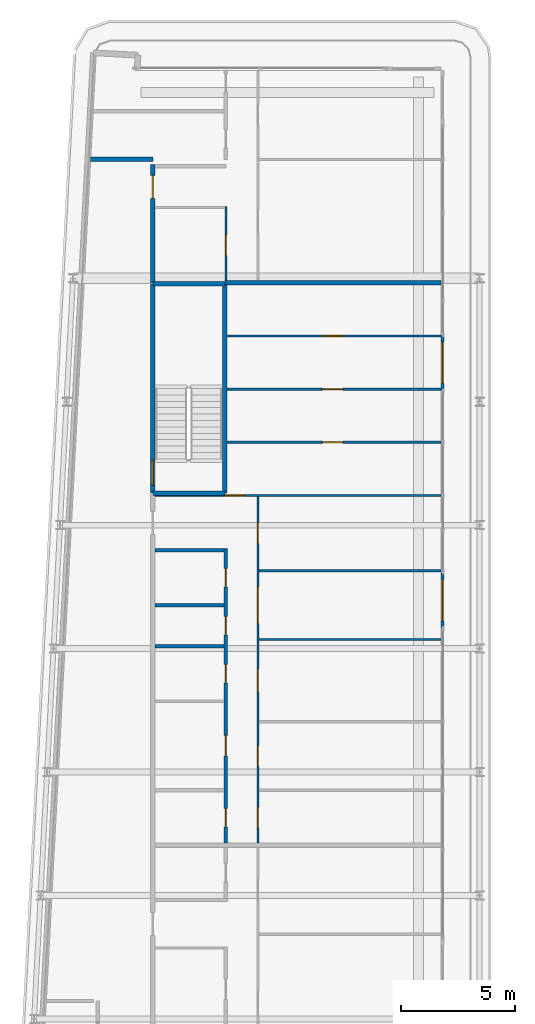
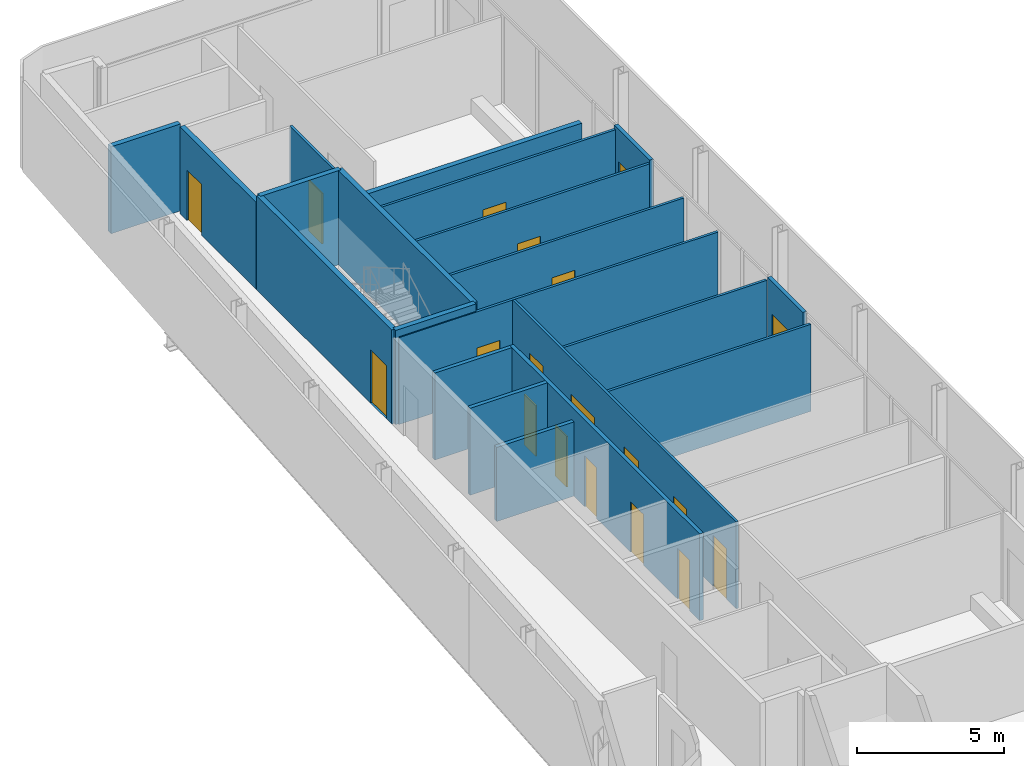
# One storey, part 14 of 21: 21 walls, 19 doors, 19 openings.
"""IFC4 building model written with IfcOpenShell, lengths in metres."""

from ifc_helpers import new_model, si_unit, direction, frame, frame_2d, origin, place, context, subcontext, project, spatial, rectangle, extrude, source, transform, mapped, material, layer, layer_set, type_object, element, fill, save


model = new_model("IFC4")

# Units and contexts
model_context = context("Model", 3, precision=1e-05, world=origin(), true_north=direction((0.0, 1.0)))
body_context = subcontext(model_context, "Body", "Model", "MODEL_VIEW")
ifc_project = project(units=[si_unit("LENGTHUNIT", "METRE"), si_unit("AREAUNIT", "SQUARE_METRE"), si_unit("VOLUMEUNIT", "CUBIC_METRE"), si_unit("PLANEANGLEUNIT", "RADIAN"), si_unit("MASSUNIT", "GRAM", prefix="KILO")], contexts=[model_context])

# Site, building, storey
site_placement = place(None, origin())
site = spatial("IfcSite", under=ifc_project, at=site_placement, CompositionType="ELEMENT")
building_placement = place(site_placement, origin())
building = spatial("IfcBuilding", under=site, at=building_placement, Name="Kheshtan School and Residences Tower", CompositionType="ELEMENT")
storey_placement = place(building_placement, frame((0.0, 0.0, 294.199951171875)))
storey = spatial("IfcBuildingStorey", under=building, at=storey_placement, Name="L69", CompositionType="ELEMENT", Elevation=294.199951171875)

# Wall
ifc_material_1 = material(Name="Gypsum board on steel studs with fire boards", Category="steel")
ifc_layer_1 = layer(ifc_material_1, 0.199951171875)
ifc_layer_set_1 = layer_set([ifc_layer_1], Name="Corridor wall 200")
wall_type_1 = type_object("IfcWallType", Name="Corridor wall 200", PredefinedType="PARTITIONING", material=ifc_layer_set_1)
wall_1_placement = place(storey_placement, frame((30.584716796875, 94.0, 0.0), z_axis=(0.0, 0.0, 1.0), x_axis=(1.0, 0.0, 0.0)))
element("IfcWall", 1, at=wall_1_placement, inside=storey, type_object=wall_type_1, Name="Partition L69-002", PredefinedType="PARTITIONING", context=body_context, shape_type="SweptSolid", body=[
    extrude(rectangle(XDim=2.71533203125, YDim=0.199951171875, at=frame_2d((1.357666015625, 0.0))), origin(), (0.0, 0.0, 1.0), 3.60009765625),
])

# Wall, opening, door
wall_2_placement = place(storey_placement, frame((33.300048828125, 88.60009765625, 0.0), z_axis=(0.0, 0.0, 1.0), x_axis=(0.0, 1.0, 0.0)))
wall_2 = element("IfcWall", 2, at=wall_2_placement, inside=storey, type_object=wall_type_1, Name="Partition L69-004", PredefinedType="PARTITIONING", context=body_context, shape_type="SweptSolid", body=[
    extrude(rectangle(XDim=5.1748046875, YDim=0.199951171875, at=frame_2d((2.58740234375, 0.0))), origin(), (0.0, 0.0, 1.0), 3.60009765625),
])
opening_1_placement = place(wall_2_placement, frame((3.699951171875, 0.0, 0.0)))
opening_1 = element("IfcOpeningElement", 3, at=opening_1_placement, cuts=wall_2, Name="Opening D68-033", PredefinedType="OPENING", context=body_context, shape_type="SweptSolid", body=[
    extrude(rectangle(XDim=1.0, YDim=2.10009765625, at=frame_2d((0.5, 1.050048828125))), frame((0.0, 0.10986328125, 0.0), z_axis=(0.0, -1.0, 0.0), x_axis=(1.0, 0.0, 0.0)), (0.0, 0.0, 1.0), 0.219970703125),
])
ifc_material_2 = material(Name="Steel-framed fire-resisting door leaf", Category="steel")
door_type_1 = type_object("IfcDoorType", Name="Fire door FD30S 1000 x 2100", OperationType="SINGLE_SWING_LEFT", PredefinedType="DOOR", material=ifc_material_2)
shared_shape_1 = source(origin(), body_context, "Body", "SweptSolid", [
    extrude(rectangle(XDim=1.0, YDim=2.10009765625, at=frame_2d((0.5, 1.050048828125))), frame((0.0, 0.02490234375, 0.0), z_axis=(0.0, -1.0, 0.0), x_axis=(1.0, 0.0, 0.0)), (0.0, 0.0, 1.0), 0.050048828125),
])
door_1_placement = place(opening_1_placement, origin())
door_1 = element("IfcDoor", 4, at=door_1_placement, inside=storey, type_object=door_type_1, Name="Door D68-033", OperationType="SINGLE_SWING_RIGHT", OverallHeight=2.10009765625, OverallWidth=1.0, PredefinedType="DOOR", context=body_context, shape_type="MappedRepresentation", body=[
    mapped(shared_shape_1, transform((0.0, 0.0, 0.0), x_axis=(1.0, 0.0, 0.0), y_axis=(0.0, 1.0, 0.0), z_axis=(0.0, 0.0, 1.0), scale=1.0)),
])
fill(opening_1, door_1)

ifc_material_3 = material(Name="Aluminium frame wall with insulated infill", Category="aluminium")
ifc_layer_2 = layer(ifc_material_3, 0.14990234375)
ifc_layer_set_2 = layer_set([ifc_layer_2], Name="Glazing frame wall 150")
wall_type_2 = type_object("IfcWallType", Name="Glazing frame wall 150", PredefinedType="SOLIDWALL", material=ifc_layer_set_2)
wall_3_placement = place(storey_placement, frame((45.97509765625, 86.305908203125, 0.0), z_axis=(0.0, 0.0, 1.0), x_axis=(0.0, -1.0, 0.0)))
wall_3 = element("IfcWall", 5, at=wall_3_placement, inside=storey, type_object=wall_type_2, Name="Balcony door wall L69 8.2", PredefinedType="SOLIDWALL", context=body_context, shape_type="SweptSolid", body=[
    extrude(rectangle(XDim=2.39990234375, YDim=0.14990234375, at=frame_2d((1.199951171875, 0.0))), origin(), (0.0, 0.0, 1.0), 3.75),
])
opening_2_placement = place(wall_3_placement, frame((0.300048828125, 0.0, 0.0)))
opening_2 = element("IfcOpeningElement", 6, at=opening_2_placement, cuts=wall_3, Name="Opening BD", PredefinedType="OPENING", context=body_context, shape_type="SweptSolid", body=[
    extrude(rectangle(XDim=1.800048828125, YDim=2.39990234375, at=frame_2d((0.89990234375, 1.199951171875))), frame((0.0, 0.0849609375, 0.0), z_axis=(0.0, -1.0, 0.0), x_axis=(1.0, 0.0, 0.0)), (0.0, 0.0, 1.0), 0.169921875),
])
ifc_material_4 = material(Name="Clear low-e glass in thermally broken aluminium frame", Category="aluminium")
door_type_2 = type_object("IfcDoorType", Name="Balcony sliding door", OperationType="SLIDING_TO_LEFT", PredefinedType="DOOR", material=ifc_material_4)
shared_shape_2 = source(origin(), body_context, "Body", "SweptSolid", [
    extrude(rectangle(XDim=1.800048828125, YDim=2.39990234375, at=frame_2d((0.89990234375, 1.199951171875))), frame((0.0, 0.02490234375, 0.0), z_axis=(0.0, -1.0, 0.0), x_axis=(1.0, 0.0, 0.0)), (0.0, 0.0, 1.0), 0.050048828125),
])
door_2_placement = place(opening_2_placement, origin())
door_2 = element("IfcDoor", 7, at=door_2_placement, inside=storey, type_object=door_type_2, Name="Balcony door L69 8.2", OperationType="SLIDING_TO_LEFT", OverallHeight=2.39990234375, OverallWidth=1.800048828125, PredefinedType="DOOR", context=body_context, shape_type="MappedRepresentation", body=[
    mapped(shared_shape_2, transform((0.0, 0.0, 0.0), x_axis=(1.0, 0.0, 0.0), y_axis=(0.0, 1.0, 0.0), z_axis=(0.0, 0.0, 1.0), scale=1.0)),
])
fill(opening_2, door_2)

wall_4_placement = place(storey_placement, frame((45.97509765625, 75.912109375, 0.0), z_axis=(0.0, 0.0, 1.0), x_axis=(0.0, -1.0, 0.0)))
wall_4 = element("IfcWall", 8, at=wall_4_placement, inside=storey, type_object=wall_type_2, Name="Balcony door wall L69 8.3", PredefinedType="SOLIDWALL", context=body_context, shape_type="SweptSolid", body=[
    extrude(rectangle(XDim=2.400146484375, YDim=0.14990234375, at=frame_2d((1.2001953125, 0.0))), origin(), (0.0, 0.0, 1.0), 3.75),
])
opening_3_placement = place(wall_4_placement, frame((0.300048828125, 0.0, 0.0)))
opening_3 = element("IfcOpeningElement", 9, at=opening_3_placement, cuts=wall_4, Name="Opening BD", PredefinedType="OPENING", context=body_context, shape_type="SweptSolid", body=[
    extrude(rectangle(XDim=1.800048828125, YDim=2.39990234375, at=frame_2d((0.89990234375, 1.199951171875))), frame((0.0, 0.0849609375, 0.0), z_axis=(0.0, -1.0, 0.0), x_axis=(1.0, 0.0, 0.0)), (0.0, 0.0, 1.0), 0.169921875),
])
door_3_placement = place(opening_3_placement, origin())
door_3 = element("IfcDoor", 10, at=door_3_placement, inside=storey, type_object=door_type_2, Name="Balcony door L69 8.3", OperationType="SLIDING_TO_LEFT", OverallHeight=2.39990234375, OverallWidth=1.800048828125, PredefinedType="DOOR", context=body_context, shape_type="MappedRepresentation", body=[
    mapped(shared_shape_2, transform((0.0, 0.0, 0.0), x_axis=(1.0, 0.0, 0.0), y_axis=(0.0, 1.0, 0.0), z_axis=(0.0, 0.0, 1.0), scale=1.0)),
])
fill(opening_3, door_3)

ifc_material_5 = material(Name="Gypsum board on steel studs", Category="steel")
ifc_layer_3 = layer(ifc_material_5, 0.10009765625)
ifc_layer_set_3 = layer_set([ifc_layer_3], Name="Gypsum partition 100")
wall_type_3 = type_object("IfcWallType", Name="Gypsum partition 100", PredefinedType="PARTITIONING", material=ifc_layer_set_3)
wall_5_placement = place(storey_placement, frame((33.39990234375, 79.300048828125, 0.0), z_axis=(0.0, 0.0, 1.0), x_axis=(1.0, 0.0, 0.0)))
wall_5 = element("IfcWall", 11, at=wall_5_placement, inside=storey, type_object=wall_type_3, Name="Partition L69-015", PredefinedType="PARTITIONING", context=body_context, shape_type="SweptSolid", body=[
    extrude(rectangle(XDim=12.5, YDim=0.10009765625, at=frame_2d((6.25, 0.0))), origin(), (0.0, 0.0, 1.0), 3.60009765625),
])
opening_4_placement = place(wall_5_placement, frame((3.052978515625, 0.0, 0.0)))
opening_4 = element("IfcOpeningElement", 12, at=opening_4_placement, cuts=wall_5, Name="Opening D68-027", PredefinedType="OPENING", context=body_context, shape_type="SweptSolid", body=[
    extrude(rectangle(XDim=0.89990234375, YDim=2.10009765625, at=frame_2d((0.449951171875, 1.050048828125))), frame((0.0, 0.06005859375, 0.0), z_axis=(0.0, -1.0, 0.0), x_axis=(1.0, 0.0, 0.0)), (0.0, 0.0, 1.0), 0.1201171875),
])
ifc_material_6 = material(Name="Veneered timber door leaf", Category="wood")
door_type_3 = type_object("IfcDoorType", Name="Door 900 x 2100", OperationType="SINGLE_SWING_LEFT", PredefinedType="DOOR", material=ifc_material_6)
shared_shape_3 = source(origin(), body_context, "Body", "SweptSolid", [
    extrude(rectangle(XDim=0.89990234375, YDim=2.10009765625, at=frame_2d((0.449951171875, 1.050048828125))), frame((0.0, 0.02490234375, 0.0), z_axis=(0.0, -1.0, 0.0), x_axis=(1.0, 0.0, 0.0)), (0.0, 0.0, 1.0), 0.050048828125),
])
door_4_placement = place(opening_4_placement, origin())
door_4 = element("IfcDoor", 13, at=door_4_placement, inside=storey, type_object=door_type_3, Name="Door D68-027", OperationType="SINGLE_SWING_LEFT", OverallHeight=2.10009765625, OverallWidth=0.89990234375, PredefinedType="DOOR", context=body_context, shape_type="MappedRepresentation", body=[
    mapped(shared_shape_3, transform((0.0, 0.0, 0.0), x_axis=(1.0, 0.0, 0.0), y_axis=(0.0, 1.0, 0.0), z_axis=(0.0, 0.0, 1.0), scale=1.0)),
])
fill(opening_4, door_4)

wall_6_placement = place(storey_placement, frame((36.5, 88.699951171875, 0.0), z_axis=(0.0, 0.0, 1.0), x_axis=(0.0, 1.0, 0.0)))
wall_6 = element("IfcWall", 14, at=wall_6_placement, inside=storey, type_object=wall_type_3, Name="Partition L69-025", PredefinedType="PARTITIONING", context=body_context, shape_type="SweptSolid", body=[
    extrude(rectangle(XDim=3.25, YDim=0.10009765625, at=frame_2d((1.625, 0.0))), origin(), (0.0, 0.0, 1.0), 3.60009765625),
])
opening_5_placement = place(wall_6_placement, frame((1.10009765625, 0.0, 0.0)))
opening_5 = element("IfcOpeningElement", 15, at=opening_5_placement, cuts=wall_6, Name="Opening D68-034", PredefinedType="OPENING", context=body_context, shape_type="SweptSolid", body=[
    extrude(rectangle(XDim=0.89990234375, YDim=2.10009765625, at=frame_2d((0.449951171875, 1.050048828125))), frame((0.0, 0.06005859375, 0.0), z_axis=(0.0, -1.0, 0.0), x_axis=(1.0, 0.0, 0.0)), (0.0, 0.0, 1.0), 0.1201171875),
])
door_5_placement = place(opening_5_placement, origin())
door_5 = element("IfcDoor", 16, at=door_5_placement, inside=storey, type_object=door_type_3, Name="Door D68-034", OperationType="SINGLE_SWING_LEFT", OverallHeight=2.10009765625, OverallWidth=0.89990234375, PredefinedType="DOOR", context=body_context, shape_type="MappedRepresentation", body=[
    mapped(shared_shape_3, transform((0.0, 0.0, 0.0), x_axis=(1.0, 0.0, 0.0), y_axis=(0.0, 1.0, 0.0), z_axis=(0.0, 0.0, 1.0), scale=1.0)),
])
fill(opening_5, door_5)

wall_7_placement = place(storey_placement, frame((36.549072265625, 81.625, 0.0), z_axis=(0.0, 0.0, 1.0), x_axis=(1.0, 0.0, 0.0)))
wall_7 = element("IfcWall", 17, at=wall_7_placement, inside=storey, type_object=wall_type_3, Name="Partition L69-027", PredefinedType="PARTITIONING", context=body_context, shape_type="SweptSolid", body=[
    extrude(rectangle(XDim=9.350830078125, YDim=0.10009765625, at=frame_2d((4.67529296875, 0.0))), origin(), (0.0, 0.0, 1.0), 3.60009765625),
])
opening_6_placement = place(wall_7_placement, frame((4.176025390625, 0.0, 0.0)))
opening_6 = element("IfcOpeningElement", 18, at=opening_6_placement, cuts=wall_7, Name="Opening D68-028", PredefinedType="OPENING", context=body_context, shape_type="SweptSolid", body=[
    extrude(rectangle(XDim=0.89990234375, YDim=2.10009765625, at=frame_2d((0.449951171875, 1.050048828125))), frame((0.0, 0.06005859375, 0.0), z_axis=(0.0, -1.0, 0.0), x_axis=(1.0, 0.0, 0.0)), (0.0, 0.0, 1.0), 0.1201171875),
])
door_6_placement = place(opening_6_placement, origin())
door_6 = element("IfcDoor", 19, at=door_6_placement, inside=storey, type_object=door_type_3, Name="Door D68-028", OperationType="SINGLE_SWING_RIGHT", OverallHeight=2.10009765625, OverallWidth=0.89990234375, PredefinedType="DOOR", context=body_context, shape_type="MappedRepresentation", body=[
    mapped(shared_shape_3, transform((0.0, 0.0, 0.0), x_axis=(1.0, 0.0, 0.0), y_axis=(0.0, 1.0, 0.0), z_axis=(0.0, 0.0, 1.0), scale=1.0)),
])
fill(opening_6, door_6)

wall_8_placement = place(storey_placement, frame((36.549072265625, 83.949951171875, 0.0), z_axis=(0.0, 0.0, 1.0), x_axis=(1.0, 0.0, 0.0)))
wall_8 = element("IfcWall", 20, at=wall_8_placement, inside=storey, type_object=wall_type_3, Name="Partition L69-028", PredefinedType="PARTITIONING", context=body_context, shape_type="SweptSolid", body=[
    extrude(rectangle(XDim=9.350830078125, YDim=0.10009765625, at=frame_2d((4.67529296875, 0.0))), origin(), (0.0, 0.0, 1.0), 3.60009765625),
])
opening_7_placement = place(wall_8_placement, frame((4.176025390625, 0.0, 0.0)))
opening_7 = element("IfcOpeningElement", 21, at=opening_7_placement, cuts=wall_8, Name="Opening D68-029", PredefinedType="OPENING", context=body_context, shape_type="SweptSolid", body=[
    extrude(rectangle(XDim=0.89990234375, YDim=2.10009765625, at=frame_2d((0.449951171875, 1.050048828125))), frame((0.0, 0.06005859375, 0.0), z_axis=(0.0, -1.0, 0.0), x_axis=(1.0, 0.0, 0.0)), (0.0, 0.0, 1.0), 0.1201171875),
])
door_7_placement = place(opening_7_placement, origin())
door_7 = element("IfcDoor", 22, at=door_7_placement, inside=storey, type_object=door_type_3, Name="Door D68-029", OperationType="SINGLE_SWING_RIGHT", OverallHeight=2.10009765625, OverallWidth=0.89990234375, PredefinedType="DOOR", context=body_context, shape_type="MappedRepresentation", body=[
    mapped(shared_shape_3, transform((0.0, 0.0, 0.0), x_axis=(1.0, 0.0, 0.0), y_axis=(0.0, 1.0, 0.0), z_axis=(0.0, 0.0, 1.0), scale=1.0)),
])
fill(opening_7, door_7)

wall_9_placement = place(storey_placement, frame((36.549072265625, 86.27490234375, 0.0), z_axis=(0.0, 0.0, 1.0), x_axis=(1.0, 0.0, 0.0)))
wall_9 = element("IfcWall", 23, at=wall_9_placement, inside=storey, type_object=wall_type_3, Name="Partition L69-029", PredefinedType="PARTITIONING", context=body_context, shape_type="SweptSolid", body=[
    extrude(rectangle(XDim=9.350830078125, YDim=0.10009765625, at=frame_2d((4.67529296875, 0.0))), origin(), (0.0, 0.0, 1.0), 3.60009765625),
])
opening_8_placement = place(wall_9_placement, frame((4.176025390625, 0.0, 0.0)))
opening_8 = element("IfcOpeningElement", 24, at=opening_8_placement, cuts=wall_9, Name="Opening D68-030", PredefinedType="OPENING", context=body_context, shape_type="SweptSolid", body=[
    extrude(rectangle(XDim=0.89990234375, YDim=2.10009765625, at=frame_2d((0.449951171875, 1.050048828125))), frame((0.0, 0.06005859375, 0.0), z_axis=(0.0, -1.0, 0.0), x_axis=(1.0, 0.0, 0.0)), (0.0, 0.0, 1.0), 0.1201171875),
])
door_8_placement = place(opening_8_placement, origin())
door_8 = element("IfcDoor", 25, at=door_8_placement, inside=storey, type_object=door_type_3, Name="Door D68-030", OperationType="SINGLE_SWING_RIGHT", OverallHeight=2.10009765625, OverallWidth=0.89990234375, PredefinedType="DOOR", context=body_context, shape_type="MappedRepresentation", body=[
    mapped(shared_shape_3, transform((0.0, 0.0, 0.0), x_axis=(1.0, 0.0, 0.0), y_axis=(0.0, 1.0, 0.0), z_axis=(0.0, 0.0, 1.0), scale=1.0)),
])
fill(opening_8, door_8)

# Wall, openings, doors
wall_10_placement = place(storey_placement, frame((37.89990234375, 64.10009765625, 0.0), z_axis=(0.0, 0.0, 1.0), x_axis=(0.0, 1.0, 0.0)))
wall_10 = element("IfcWall", 26, at=wall_10_placement, inside=storey, type_object=wall_type_3, Name="Partition L69-031", PredefinedType="PARTITIONING", context=body_context, shape_type="SweptSolid", body=[
    extrude(rectangle(XDim=15.14990234375, YDim=0.10009765625, at=frame_2d((7.574951171875, 0.0))), origin(), (0.0, 0.0, 1.0), 3.60009765625),
])
opening_9_placement = place(wall_10_placement, frame((0.64990234375, 0.0, 0.0)))
opening_9 = element("IfcOpeningElement", 27, at=opening_9_placement, cuts=wall_10, Name="Opening D68-018", PredefinedType="OPENING", context=body_context, shape_type="SweptSolid", body=[
    extrude(rectangle(XDim=0.89990234375, YDim=2.10009765625, at=frame_2d((0.449951171875, 1.050048828125))), frame((0.0, 0.06005859375, 0.0), z_axis=(0.0, -1.0, 0.0), x_axis=(1.0, 0.0, 0.0)), (0.0, 0.0, 1.0), 0.1201171875),
])
opening_10_placement = place(wall_10_placement, frame((3.35009765625, 0.0, 0.0)))
opening_10 = element("IfcOpeningElement", 28, at=opening_10_placement, cuts=wall_10, Name="Opening D68-019", PredefinedType="OPENING", context=body_context, shape_type="SweptSolid", body=[
    extrude(rectangle(XDim=0.89990234375, YDim=2.10009765625, at=frame_2d((0.449951171875, 1.050048828125))), frame((0.0, 0.06005859375, 0.0), z_axis=(0.0, -1.0, 0.0), x_axis=(1.0, 0.0, 0.0)), (0.0, 0.0, 1.0), 0.1201171875),
])
opening_11_placement = place(wall_10_placement, frame((6.60009765625, 0.0, 0.0)))
opening_11 = element("IfcOpeningElement", 29, at=opening_11_placement, cuts=wall_10, Name="Opening D68-023", PredefinedType="OPENING", context=body_context, shape_type="SweptSolid", body=[
    extrude(rectangle(XDim=1.0, YDim=2.10009765625, at=frame_2d((0.5, 1.050048828125))), frame((0.0, 0.06005859375, 0.0), z_axis=(0.0, -1.0, 0.0), x_axis=(1.0, 0.0, 0.0)), (0.0, 0.0, 1.0), 0.1201171875),
])
opening_12_placement = place(wall_10_placement, frame((9.60009765625, 0.0, 0.0)))
opening_12 = element("IfcOpeningElement", 30, at=opening_12_placement, cuts=wall_10, Name="Opening D68-024", PredefinedType="OPENING", context=body_context, shape_type="SweptSolid", body=[
    extrude(rectangle(XDim=1.60009765625, YDim=2.10009765625, at=frame_2d((0.800048828125, 1.050048828125))), frame((0.0, 0.06005859375, 0.0), z_axis=(0.0, -1.0, 0.0), x_axis=(1.0, 0.0, 0.0)), (0.0, 0.0, 1.0), 0.1201171875),
])
opening_13_placement = place(wall_10_placement, frame((13.10009765625, 0.0, 0.0)))
opening_13 = element("IfcOpeningElement", 31, at=opening_13_placement, cuts=wall_10, Name="Opening D68-025", PredefinedType="OPENING", context=body_context, shape_type="SweptSolid", body=[
    extrude(rectangle(XDim=0.89990234375, YDim=2.10009765625, at=frame_2d((0.449951171875, 1.050048828125))), frame((0.0, 0.06005859375, 0.0), z_axis=(0.0, -1.0, 0.0), x_axis=(1.0, 0.0, 0.0)), (0.0, 0.0, 1.0), 0.1201171875),
])
door_type_4 = type_object("IfcDoorType", Name="Door 1000 x 2100", OperationType="SINGLE_SWING_LEFT", PredefinedType="DOOR", material=ifc_material_6)
shared_shape_4 = source(origin(), body_context, "Body", "SweptSolid", [
    extrude(rectangle(XDim=1.0, YDim=2.10009765625, at=frame_2d((0.5, 1.050048828125))), frame((0.0, 0.02490234375, 0.0), z_axis=(0.0, -1.0, 0.0), x_axis=(1.0, 0.0, 0.0)), (0.0, 0.0, 1.0), 0.050048828125),
])
door_9_placement = place(opening_11_placement, origin())
door_9 = element("IfcDoor", 32, at=door_9_placement, inside=storey, type_object=door_type_4, Name="Door D68-023", OperationType="SINGLE_SWING_LEFT", OverallHeight=2.10009765625, OverallWidth=1.0, PredefinedType="DOOR", context=body_context, shape_type="MappedRepresentation", body=[
    mapped(shared_shape_4, transform((0.0, 0.0, 0.0), x_axis=(1.0, 0.0, 0.0), y_axis=(0.0, 1.0, 0.0), z_axis=(0.0, 0.0, 1.0), scale=1.0)),
])
fill(opening_11, door_9)
door_10_placement = place(opening_9_placement, origin())
door_10 = element("IfcDoor", 33, at=door_10_placement, inside=storey, type_object=door_type_3, Name="Door D68-018", OperationType="SINGLE_SWING_RIGHT", OverallHeight=2.10009765625, OverallWidth=0.89990234375, PredefinedType="DOOR", context=body_context, shape_type="MappedRepresentation", body=[
    mapped(shared_shape_3, transform((0.0, 0.0, 0.0), x_axis=(1.0, 0.0, 0.0), y_axis=(0.0, 1.0, 0.0), z_axis=(0.0, 0.0, 1.0), scale=1.0)),
])
fill(opening_9, door_10)
door_11_placement = place(opening_10_placement, origin())
door_11 = element("IfcDoor", 34, at=door_11_placement, inside=storey, type_object=door_type_3, Name="Door D68-019", OperationType="SINGLE_SWING_LEFT", OverallHeight=2.10009765625, OverallWidth=0.89990234375, PredefinedType="DOOR", context=body_context, shape_type="MappedRepresentation", body=[
    mapped(shared_shape_3, transform((0.0, 0.0, 0.0), x_axis=(1.0, 0.0, 0.0), y_axis=(0.0, 1.0, 0.0), z_axis=(0.0, 0.0, 1.0), scale=1.0)),
])
fill(opening_10, door_11)
door_12_placement = place(opening_13_placement, origin())
door_12 = element("IfcDoor", 35, at=door_12_placement, inside=storey, type_object=door_type_3, Name="Door D68-025", OperationType="SINGLE_SWING_RIGHT", OverallHeight=2.10009765625, OverallWidth=0.89990234375, PredefinedType="DOOR", context=body_context, shape_type="MappedRepresentation", body=[
    mapped(shared_shape_3, transform((0.0, 0.0, 0.0), x_axis=(1.0, 0.0, 0.0), y_axis=(0.0, 1.0, 0.0), z_axis=(0.0, 0.0, 1.0), scale=1.0)),
])
fill(opening_13, door_12)
door_type_5 = type_object("IfcDoorType", Name="Double door 1600 x 2100", OperationType="DOUBLE_DOOR_SINGLE_SWING", PredefinedType="DOOR", material=ifc_material_6)
shared_shape_5 = source(origin(), body_context, "Body", "SweptSolid", [
    extrude(rectangle(XDim=1.60009765625, YDim=2.10009765625, at=frame_2d((0.800048828125, 1.050048828125))), frame((0.0, 0.02490234375, 0.0), z_axis=(0.0, -1.0, 0.0), x_axis=(1.0, 0.0, 0.0)), (0.0, 0.0, 1.0), 0.050048828125),
])
door_13_placement = place(opening_12_placement, origin())
door_13 = element("IfcDoor", 36, at=door_13_placement, inside=storey, type_object=door_type_5, Name="Door D68-024", OperationType="DOUBLE_DOOR_SINGLE_SWING", OverallHeight=2.10009765625, OverallWidth=1.60009765625, PredefinedType="DOOR", context=body_context, shape_type="MappedRepresentation", body=[
    mapped(shared_shape_5, transform((0.0, 0.0, 0.0), x_axis=(1.0, 0.0, 0.0), y_axis=(0.0, 1.0, 0.0), z_axis=(0.0, 0.0, 1.0), scale=1.0)),
])
fill(opening_12, door_13)

# Walls
for number, where, z_axis, x_axis, name in (
    (37, (37.949951171875, 73.0, 0.0), (0.0, 0.0, 1.0), (1.0, 0.0, 0.0), "Partition L69-036"),
    (38, (37.949951171875, 76.0, 0.0), (0.0, 0.0, 1.0), (1.0, 0.0, 0.0), "Partition L69-037"),
):
    element("IfcWall", number, at=place(storey_placement, frame(where, z_axis=z_axis, x_axis=x_axis)), inside=storey, type_object=wall_type_3, Name=name, PredefinedType="PARTITIONING", context=body_context, shape_type="SweptSolid", body=[
        extrude(rectangle(XDim=7.949951171875, YDim=0.10009765625, at=frame_2d((3.97509765625, 0.0))), origin(), (0.0, 0.0, 1.0), 3.60009765625),
    ])
ifc_material_7 = material(Name="Concrete C40/50", Category="concrete")
ifc_layer_4 = layer(ifc_material_7, 0.199951171875)
ifc_layer_set_4 = layer_set([ifc_layer_4], Name="Stair enclosure wall 200 Concrete C40/50")
wall_type_4 = type_object("IfcWallType", Name="Stair enclosure wall 200 Concrete C40/50", PredefinedType="SHEAR", material=ifc_layer_set_4)
for number, where, z_axis, x_axis, name in (
    (39, (33.300048828125, 79.39990234375, 0.0), (0.0, 0.0, 1.0), (1.0, 0.0, 0.0), "Stair enclosure wall ST3"),
    (40, (33.300048828125, 88.56005859375, 0.0), (0.0, 0.0, 1.0), (1.0, 0.0, 0.0), "Stair enclosure wall ST3"),
):
    element("IfcWall", number, at=place(storey_placement, frame(where, z_axis=z_axis, x_axis=x_axis)), inside=storey, type_object=wall_type_4, Name=name, PredefinedType="SHEAR", context=body_context, shape_type="SweptSolid", body=[
        extrude(rectangle(XDim=3.14990234375, YDim=0.199951171875, at=frame_2d((1.574951171875, 0.0))), origin(), (0.0, 0.0, 1.0), 3.900146484375),
    ])

# Wall, opening, door
wall_11_placement = place(storey_placement, frame((33.300048828125, 79.39990234375, 0.0), z_axis=(0.0, 0.0, 1.0), x_axis=(0.0, 1.0, 0.0)))
wall_11 = element("IfcWall", 41, at=wall_11_placement, inside=storey, type_object=wall_type_4, Name="Stair enclosure wall ST3", PredefinedType="SHEAR", context=body_context, shape_type="SweptSolid", body=[
    extrude(rectangle(XDim=9.16015625, YDim=0.199951171875, at=frame_2d((4.580078125, 0.0))), origin(), (0.0, 0.0, 1.0), 3.900146484375),
])
opening_14_placement = place(wall_11_placement, frame((0.35009765625, 0.0, 0.0)))
opening_14 = element("IfcOpeningElement", 42, at=opening_14_placement, cuts=wall_11, Name="Opening ST3D", PredefinedType="OPENING", context=body_context, shape_type="SweptSolid", body=[
    extrude(rectangle(XDim=1.10009765625, YDim=2.199951171875, at=frame_2d((0.550048828125, 1.10009765625))), frame((0.0, 0.10986328125, 0.0), z_axis=(0.0, -1.0, 0.0), x_axis=(1.0, 0.0, 0.0)), (0.0, 0.0, 1.0), 0.219970703125),
])
ifc_material_8 = material(Name="Steel door leaf, galvanised", Category="steel")
door_type_6 = type_object("IfcDoorType", Name="Stair door 1100 steel 90 min", OperationType="SINGLE_SWING_LEFT", PredefinedType="DOOR", material=ifc_material_8)
shared_shape_6 = source(origin(), body_context, "Body", "SweptSolid", [
    extrude(rectangle(XDim=1.10009765625, YDim=2.199951171875, at=frame_2d((0.550048828125, 1.10009765625))), frame((0.0, 0.02490234375, 0.0), z_axis=(0.0, -1.0, 0.0), x_axis=(1.0, 0.0, 0.0)), (0.0, 0.0, 1.0), 0.050048828125),
])
door_14_placement = place(opening_14_placement, origin())
door_14 = element("IfcDoor", 43, at=door_14_placement, inside=storey, type_object=door_type_6, Name="Stair ST3 door", OperationType="SINGLE_SWING_RIGHT", OverallHeight=2.199951171875, OverallWidth=1.10009765625, PredefinedType="DOOR", context=body_context, shape_type="MappedRepresentation", body=[
    mapped(shared_shape_6, transform((0.0, 0.0, 0.0), x_axis=(1.0, 0.0, 0.0), y_axis=(0.0, 1.0, 0.0), z_axis=(0.0, 0.0, 1.0), scale=1.0)),
])
fill(opening_14, door_14)

# Walls
wall_12_placement = place(storey_placement, frame((36.449951171875, 79.39990234375, 0.0), z_axis=(0.0, 0.0, 1.0), x_axis=(0.0, 1.0, 0.0)))
element("IfcWall", 44, at=wall_12_placement, inside=storey, type_object=wall_type_4, Name="Stair enclosure wall ST3", PredefinedType="SHEAR", context=body_context, shape_type="SweptSolid", body=[
    extrude(rectangle(XDim=9.16015625, YDim=0.199951171875, at=frame_2d((4.580078125, 0.0))), origin(), (0.0, 0.0, 1.0), 3.900146484375),
])
ifc_material_9 = material(Name="Twin gypsum board on steel studs with mineral wool", Category="steel")
ifc_layer_5 = layer(ifc_material_9, 0.199951171875)
ifc_layer_set_5 = layer_set([ifc_layer_5], Name="Unit demising wall 200")
wall_type_5 = type_object("IfcWallType", Name="Unit demising wall 200", PredefinedType="PARTITIONING", material=ifc_layer_set_5)
wall_13_placement = place(storey_placement, frame((36.449951171875, 88.60009765625, 0.0), z_axis=(0.0, 0.0, 1.0), x_axis=(1.0, 0.0, 0.0)))
element("IfcWall", 45, at=wall_13_placement, inside=storey, type_object=wall_type_5, Name="Partition L69-020", PredefinedType="PARTITIONING", context=body_context, shape_type="SweptSolid", body=[
    extrude(rectangle(XDim=9.449951171875, YDim=0.199951171875, at=frame_2d((4.72509765625, 0.0))), origin(), (0.0, 0.0, 1.0), 2.5),
])
ifc_material_10 = material(Name="Moisture-resistant gypsum board on steel studs", Category="steel")
ifc_layer_6 = layer(ifc_material_10, 0.14990234375)
ifc_layer_set_6 = layer_set([ifc_layer_6], Name="Wet-room partition 150")
wall_type_6 = type_object("IfcWallType", Name="Wet-room partition 150", PredefinedType="PARTITIONING", material=ifc_layer_set_6)
wall_14_placement = place(storey_placement, frame((33.39990234375, 72.699951171875, 0.0), z_axis=(0.0, 0.0, 1.0), x_axis=(1.0, 0.0, 0.0)))
element("IfcWall", 46, at=wall_14_placement, inside=storey, type_object=wall_type_6, Name="Partition L69-012", PredefinedType="PARTITIONING", context=body_context, shape_type="SweptSolid", body=[
    extrude(rectangle(XDim=3.025146484375, YDim=0.14990234375, at=frame_2d((1.5126953125, 0.0))), origin(), (0.0, 0.0, 1.0), 3.072021484375),
])
for number, where, z_axis, x_axis, name in (
    (47, (33.39990234375, 74.5, 0.0), (0.0, 0.0, 1.0), (1.0, 0.0, 0.0), "Partition L69-013"),
    (48, (33.39990234375, 76.89990234375, 0.0), (0.0, 0.0, 1.0), (1.0, 0.0, 0.0), "Partition L69-014"),
):
    element("IfcWall", number, at=place(storey_placement, frame(where, z_axis=z_axis, x_axis=x_axis)), inside=storey, type_object=wall_type_6, Name=name, PredefinedType="PARTITIONING", context=body_context, shape_type="SweptSolid", body=[
        extrude(rectangle(XDim=3.025146484375, YDim=0.14990234375, at=frame_2d((1.5126953125, 0.0))), origin(), (0.0, 0.0, 1.0), 3.60009765625),
    ])

# Wall, openings, doors
wall_15_placement = place(storey_placement, frame((36.5, 64.10009765625, 0.0), z_axis=(0.0, 0.0, 1.0), x_axis=(0.0, 1.0, 0.0)))
wall_15 = element("IfcWall", 49, at=wall_15_placement, inside=storey, type_object=wall_type_6, Name="Partition L69-024", PredefinedType="PARTITIONING", context=body_context, shape_type="SweptSolid", body=[
    extrude(rectangle(XDim=12.875, YDim=0.14990234375, at=frame_2d((6.4375, 0.0))), origin(), (0.0, 0.0, 1.0), 3.60009765625),
])
opening_15_placement = place(wall_15_placement, frame((0.699951171875, 0.0, 0.0)))
opening_15 = element("IfcOpeningElement", 50, at=opening_15_placement, cuts=wall_15, Name="Opening D68-016", PredefinedType="OPENING", context=body_context, shape_type="SweptSolid", body=[
    extrude(rectangle(XDim=0.800048828125, YDim=2.10009765625, at=frame_2d((0.39990234375, 1.050048828125))), frame((0.0, 0.0849609375, 0.0), z_axis=(0.0, -1.0, 0.0), x_axis=(1.0, 0.0, 0.0)), (0.0, 0.0, 1.0), 0.169921875),
])
opening_16_placement = place(wall_15_placement, frame((11.199951171875, 0.0, 0.0)))
opening_16 = element("IfcOpeningElement", 51, at=opening_16_placement, cuts=wall_15, Name="Opening D68-017", PredefinedType="OPENING", context=body_context, shape_type="SweptSolid", body=[
    extrude(rectangle(XDim=0.800048828125, YDim=2.10009765625, at=frame_2d((0.39990234375, 1.050048828125))), frame((0.0, 0.0849609375, 0.0), z_axis=(0.0, -1.0, 0.0), x_axis=(1.0, 0.0, 0.0)), (0.0, 0.0, 1.0), 0.169921875),
])
opening_17_placement = place(wall_15_placement, frame((7.0, 0.0, 0.0)))
opening_17 = element("IfcOpeningElement", 52, at=opening_17_placement, cuts=wall_15, Name="Opening D68-020", PredefinedType="OPENING", context=body_context, shape_type="SweptSolid", body=[
    extrude(rectangle(XDim=0.800048828125, YDim=2.10009765625, at=frame_2d((0.39990234375, 1.050048828125))), frame((0.0, 0.0849609375, 0.0), z_axis=(0.0, -1.0, 0.0), x_axis=(1.0, 0.0, 0.0)), (0.0, 0.0, 1.0), 0.169921875),
])
opening_18_placement = place(wall_15_placement, frame((3.800048828125, 0.0, 0.0)))
opening_18 = element("IfcOpeningElement", 53, at=opening_18_placement, cuts=wall_15, Name="Opening D68-022", PredefinedType="OPENING", context=body_context, shape_type="SweptSolid", body=[
    extrude(rectangle(XDim=0.89990234375, YDim=2.10009765625, at=frame_2d((0.449951171875, 1.050048828125))), frame((0.0, 0.0849609375, 0.0), z_axis=(0.0, -1.0, 0.0), x_axis=(1.0, 0.0, 0.0)), (0.0, 0.0, 1.0), 0.169921875),
])
opening_19_placement = place(wall_15_placement, frame((9.10009765625, 0.0, 0.0)))
opening_19 = element("IfcOpeningElement", 54, at=opening_19_placement, cuts=wall_15, Name="Opening D68-026", PredefinedType="OPENING", context=body_context, shape_type="SweptSolid", body=[
    extrude(rectangle(XDim=0.800048828125, YDim=2.10009765625, at=frame_2d((0.39990234375, 1.050048828125))), frame((0.0, 0.0849609375, 0.0), z_axis=(0.0, -1.0, 0.0), x_axis=(1.0, 0.0, 0.0)), (0.0, 0.0, 1.0), 0.169921875),
])
door_type_7 = type_object("IfcDoorType", Name="Door 800 x 2100", OperationType="SINGLE_SWING_LEFT", PredefinedType="DOOR", material=ifc_material_6)
shared_shape_7 = source(origin(), body_context, "Body", "SweptSolid", [
    extrude(rectangle(XDim=0.800048828125, YDim=2.10009765625, at=frame_2d((0.39990234375, 1.050048828125))), frame((0.0, 0.02490234375, 0.0), z_axis=(0.0, -1.0, 0.0), x_axis=(1.0, 0.0, 0.0)), (0.0, 0.0, 1.0), 0.050048828125),
])
door_15_placement = place(opening_15_placement, origin())
door_15 = element("IfcDoor", 55, at=door_15_placement, inside=storey, type_object=door_type_7, Name="Door D68-016", OperationType="SINGLE_SWING_LEFT", OverallHeight=2.10009765625, OverallWidth=0.800048828125, PredefinedType="DOOR", context=body_context, shape_type="MappedRepresentation", body=[
    mapped(shared_shape_7, transform((0.0, 0.0, 0.0), x_axis=(1.0, 0.0, 0.0), y_axis=(0.0, 1.0, 0.0), z_axis=(0.0, 0.0, 1.0), scale=1.0)),
])
fill(opening_15, door_15)
door_16_placement = place(opening_16_placement, origin())
door_16 = element("IfcDoor", 56, at=door_16_placement, inside=storey, type_object=door_type_7, Name="Door D68-017", OperationType="SINGLE_SWING_RIGHT", OverallHeight=2.10009765625, OverallWidth=0.800048828125, PredefinedType="DOOR", context=body_context, shape_type="MappedRepresentation", body=[
    mapped(shared_shape_7, transform((0.0, 0.0, 0.0), x_axis=(1.0, 0.0, 0.0), y_axis=(0.0, 1.0, 0.0), z_axis=(0.0, 0.0, 1.0), scale=1.0)),
])
fill(opening_16, door_16)
door_17_placement = place(opening_17_placement, origin())
door_17 = element("IfcDoor", 57, at=door_17_placement, inside=storey, type_object=door_type_7, Name="Door D68-020", OperationType="SINGLE_SWING_RIGHT", OverallHeight=2.10009765625, OverallWidth=0.800048828125, PredefinedType="DOOR", context=body_context, shape_type="MappedRepresentation", body=[
    mapped(shared_shape_7, transform((0.0, 0.0, 0.0), x_axis=(1.0, 0.0, 0.0), y_axis=(0.0, 1.0, 0.0), z_axis=(0.0, 0.0, 1.0), scale=1.0)),
])
fill(opening_17, door_17)
door_18_placement = place(opening_19_placement, origin())
door_18 = element("IfcDoor", 58, at=door_18_placement, inside=storey, type_object=door_type_7, Name="Door D68-026", OperationType="SINGLE_SWING_LEFT", OverallHeight=2.10009765625, OverallWidth=0.800048828125, PredefinedType="DOOR", context=body_context, shape_type="MappedRepresentation", body=[
    mapped(shared_shape_7, transform((0.0, 0.0, 0.0), x_axis=(1.0, 0.0, 0.0), y_axis=(0.0, 1.0, 0.0), z_axis=(0.0, 0.0, 1.0), scale=1.0)),
])
fill(opening_19, door_18)
door_19_placement = place(opening_18_placement, origin())
door_19 = element("IfcDoor", 59, at=door_19_placement, inside=storey, type_object=door_type_3, Name="Door D68-022", OperationType="SINGLE_SWING_RIGHT", OverallHeight=2.10009765625, OverallWidth=0.89990234375, PredefinedType="DOOR", context=body_context, shape_type="MappedRepresentation", body=[
    mapped(shared_shape_3, transform((0.0, 0.0, 0.0), x_axis=(1.0, 0.0, 0.0), y_axis=(0.0, 1.0, 0.0), z_axis=(0.0, 0.0, 1.0), scale=1.0)),
])
fill(opening_18, door_19)

save(model, "model.ifc")
